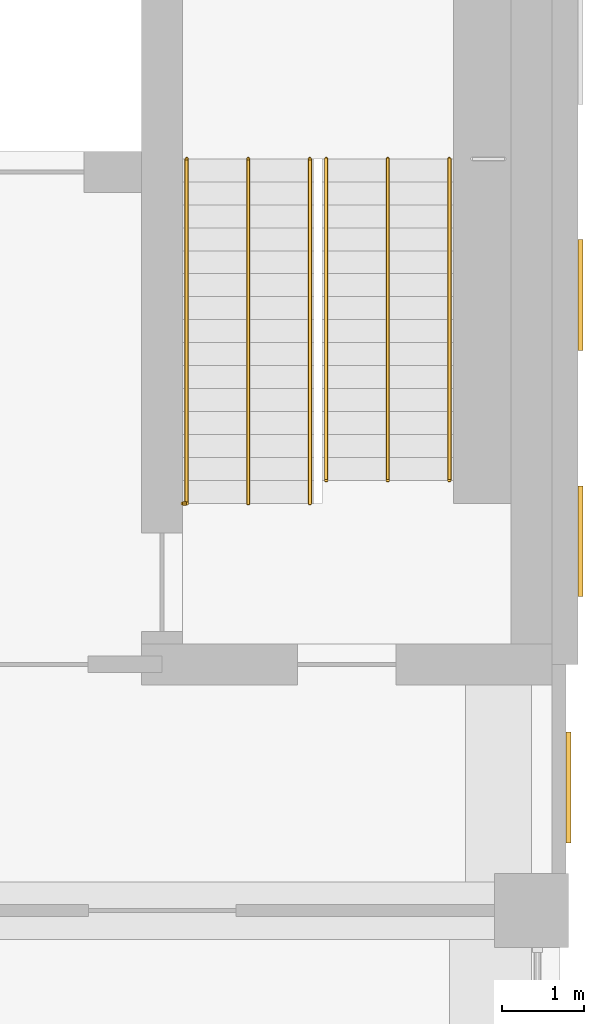
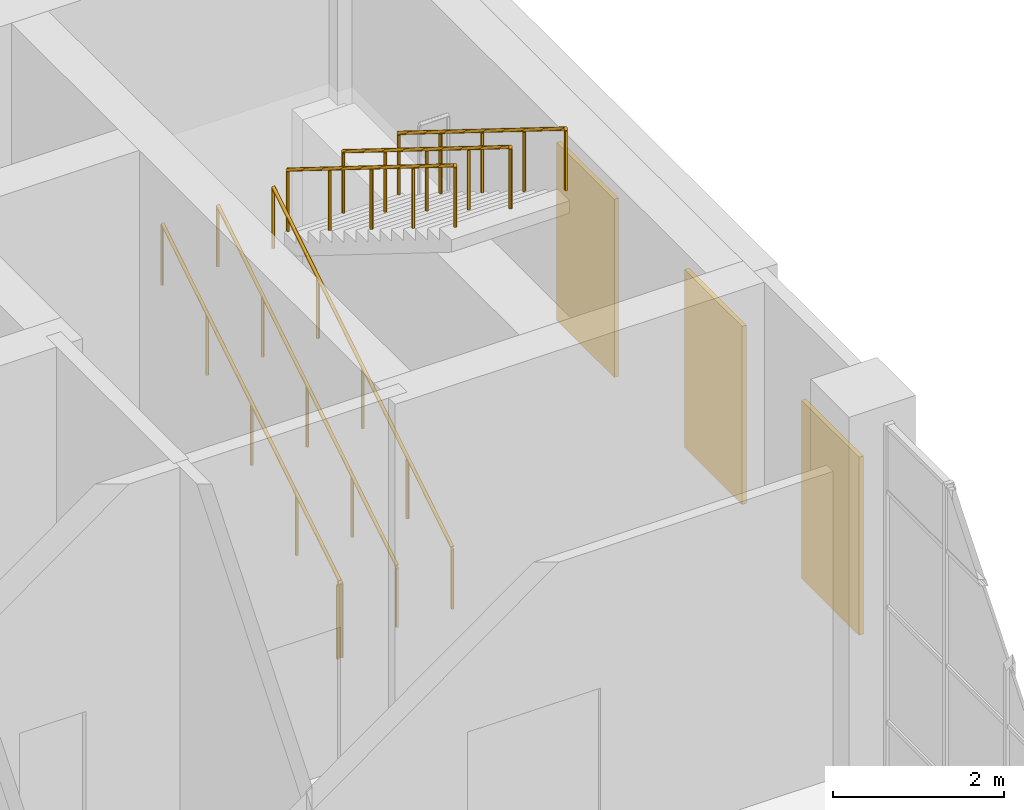
# One storey, part 32 of 37: 7 railings, 3 coverings.
"""IFC4 building model written with IfcOpenShell, lengths in metres."""

from ifc_helpers import new_model, si_unit, direction, frame, origin, origin_2d, place, context, subcontext, project, spatial, rectangle, circle, extrude, material, layer, layer_set, type_object, element, save


model = new_model("IFC4")

# Units and contexts
model_context = context("Model", 3, precision=1e-05, world=origin(), true_north=direction((0.0, 1.0)))
body_context = subcontext(model_context, "Body", "Model", "MODEL_VIEW")
ifc_project = project(units=[si_unit("LENGTHUNIT", "METRE"), si_unit("AREAUNIT", "SQUARE_METRE"), si_unit("VOLUMEUNIT", "CUBIC_METRE"), si_unit("PLANEANGLEUNIT", "RADIAN"), si_unit("MASSUNIT", "GRAM", prefix="KILO")], contexts=[model_context])

# Site, building, storey
site_placement = place(None, origin())
site = spatial("IfcSite", under=ifc_project, at=site_placement, CompositionType="ELEMENT")
building_placement = place(site_placement, origin())
building = spatial("IfcBuilding", under=site, at=building_placement, Name="Aurelan Courthouse", CompositionType="ELEMENT")
storey_placement = place(building_placement, frame((0.0, 0.0, 17.39990234375)))
storey = spatial("IfcBuildingStorey", under=building, at=storey_placement, Name="L03", CompositionType="ELEMENT", Elevation=17.39990234375)

# Coverings
ifc_material_1 = material(Name="Bronze sheet cladding")
ifc_layer = layer(ifc_material_1, 0.06005859375)
ifc_layer_set = layer_set([ifc_layer], Name="Bronze sheet cladding")
covering_type = type_object("IfcCoveringType", Name="Law Library blind bay 1350 x 2550", PredefinedType="CLADDING", material=ifc_layer_set)
for number, where, z_axis, x_axis, name in (
    (1, (90.449951171875, 55.5, 1.2001953125), (0.0, 0.0, 1.0), (1.0, 0.0, 0.0), "Blind bay BB-V3-L03-015"),
    (2, (90.60009765625, 58.5, 1.2001953125), (0.0, 0.0, 1.0), (1.0, 0.0, 0.0), "Blind bay BB-V3-L03-016"),
    (3, (90.60009765625, 61.5, 1.2001953125), (0.0, 0.0, 1.0), (1.0, 0.0, 0.0), "Blind bay BB-V3-L03-017"),
):
    element("IfcCovering", number, at=place(storey_placement, frame(where, z_axis=z_axis, x_axis=x_axis)), inside=storey, type_object=covering_type, Name=name, PredefinedType="CLADDING", context=body_context, shape_type="SweptSolid", body=[
        extrude(rectangle(XDim=0.06005859375, YDim=1.35009765625, at=origin_2d()), origin(), (0.0, 0.0, 1.0), 2.550048828125),
    ])

# Railings
ifc_material_2 = material(Name="Steel S355", Category="steel")
railing_type_1 = type_object("IfcRailingType", Name="Stair guard 1100", PredefinedType="GUARDRAIL", material=ifc_material_2)
railing_placement = place(storey_placement, frame((85.800048828125, 58.9599609375, 0.0)))
element("IfcRailing", 4, at=railing_placement, inside=storey, type_object=railing_type_1, Name="Guard ST-3B-L03-H1-C", PredefinedType="GUARDRAIL", context=body_context, shape_type="SweptSolid", body=[
    extrude(circle(Radius=0.02392578125, at=origin_2d()), frame((0.0, 0.0, 1.076171875), z_axis=(-1.0, 0.0, 0.0), x_axis=(0.0, -1.0, 0.0)), (0.0, 0.0, 1.0), 0.050048828125),
    extrude(circle(Radius=0.02099609375, at=origin_2d()), origin(), (0.0, 0.0, 1.0), 1.052001953125),
    extrude(circle(Radius=0.02099609375, at=origin_2d()), frame((-0.050048828125, 0.0, 0.0)), (0.0, 0.0, 1.0), 1.052001953125),
])
railing_type_2 = type_object("IfcRailingType", Name="Stair handrail 900", PredefinedType="HANDRAIL", material=ifc_material_2)
for number, where, name in (
    (5, (85.800048828125, 58.9599609375, 0.17431640625), "Handrail ST-3B-L03-H1"),
    (6, (87.300048828125, 58.9599609375, 0.17431640625), "Handrail ST-3B-L03-H2"),
    (7, (86.550048828125, 58.9599609375, 0.17431640625), "Handrail ST-3B-L03-H3"),
):
    element("IfcRailing", number, at=place(storey_placement, frame(where)), inside=storey, type_object=railing_type_2, Name=name, PredefinedType="HANDRAIL", context=body_context, shape_type="SweptSolid", body=[
        extrude(circle(Radius=0.02392578125, at=origin_2d()), frame((0.0, 0.0, 0.8759765625), z_axis=(0.0, 0.849102848233, 0.528227558088), x_axis=(-1.0, 0.0, 0.0)), (0.0, 0.0, 1.0), 4.9462890625),
        extrude(circle(Radius=0.02099609375, at=origin_2d()), origin(), (0.0, 0.0, 1.0), 0.851806640625),
        extrude(circle(Radius=0.02099609375, at=origin_2d()), frame((0.0, 1.050048828125, 0.6533203125)), (0.0, 0.0, 1.0), 0.851806640625),
        extrude(circle(Radius=0.02099609375, at=origin_2d()), frame((0.0, 2.10009765625, 1.306396484375)), (0.0, 0.0, 1.0), 0.851806640625),
        extrude(circle(Radius=0.02099609375, at=origin_2d()), frame((0.0, 3.14990234375, 1.95947265625)), (0.0, 0.0, 1.0), 0.851806640625),
        extrude(circle(Radius=0.02099609375, at=origin_2d()), frame((0.0, 4.199951171875, 2.61279296875)), (0.0, 0.0, 1.0), 0.851806640625),
    ])
for number, where, name in (
    (8, (87.5, 63.159912109375, 2.96142578125), "Handrail ST-3B-L03-H4"),
    (9, (89.0, 63.159912109375, 2.96142578125), "Handrail ST-3B-L03-H5"),
    (10, (88.25, 63.159912109375, 2.96142578125), "Handrail ST-3B-L03-H6"),
):
    element("IfcRailing", number, at=place(storey_placement, frame(where)), inside=storey, type_object=railing_type_2, Name=name, PredefinedType="HANDRAIL", context=body_context, shape_type="SweptSolid", body=[
        extrude(circle(Radius=0.02392578125, at=origin_2d()), frame((0.0, 0.0, 0.8759765625), z_axis=(0.0, -0.849089811655, 0.528248513243), x_axis=(1.0, 0.0, 0.0)), (0.0, 0.0, 1.0), 4.61669921875),
        extrude(circle(Radius=0.02099609375, at=origin_2d()), origin(), (0.0, 0.0, 1.0), 0.851806640625),
        extrude(circle(Radius=0.02099609375, at=origin_2d()), frame((0.0, -0.97998046875, 0.609619140625)), (0.0, 0.0, 1.0), 0.851806640625),
        extrude(circle(Radius=0.02099609375, at=origin_2d()), frame((0.0, -1.9599609375, 1.21923828125)), (0.0, 0.0, 1.0), 0.851806640625),
        extrude(circle(Radius=0.02099609375, at=origin_2d()), frame((0.0, -2.93994140625, 1.8291015625)), (0.0, 0.0, 1.0), 0.851806640625),
        extrude(circle(Radius=0.02099609375, at=origin_2d()), frame((0.0, -3.919921875, 2.438720703125)), (0.0, 0.0, 1.0), 0.851806640625),
    ])

save(model, "model.ifc")
